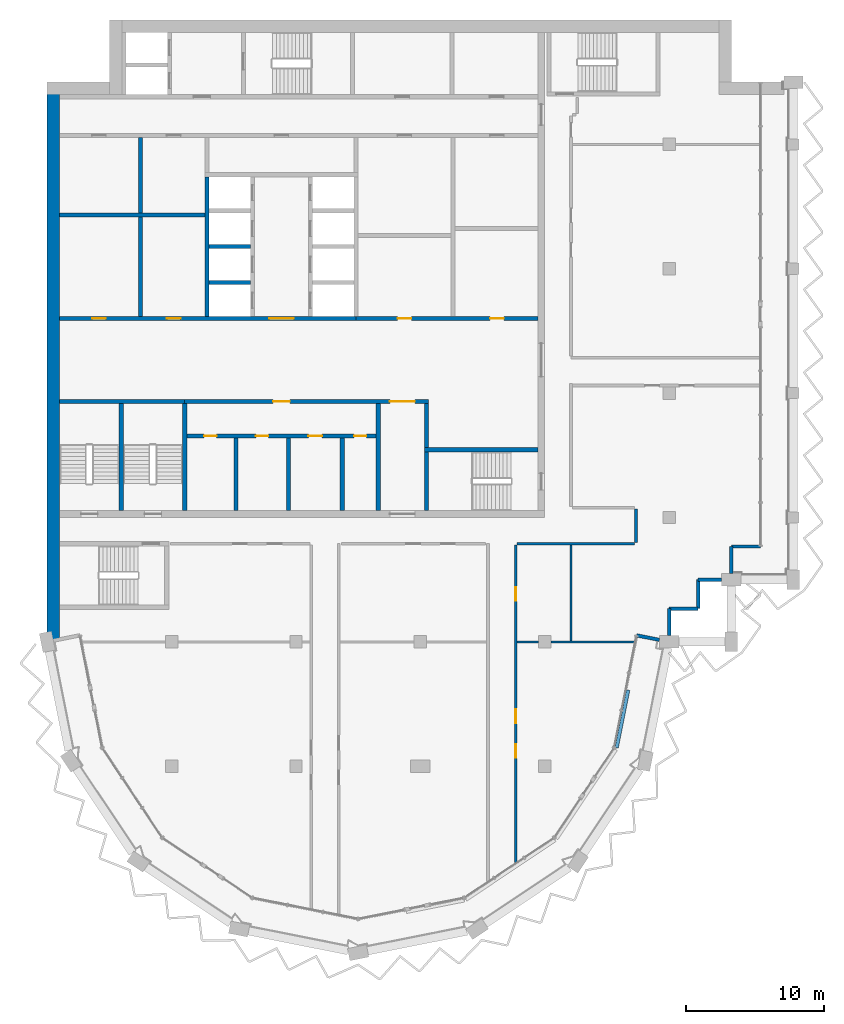
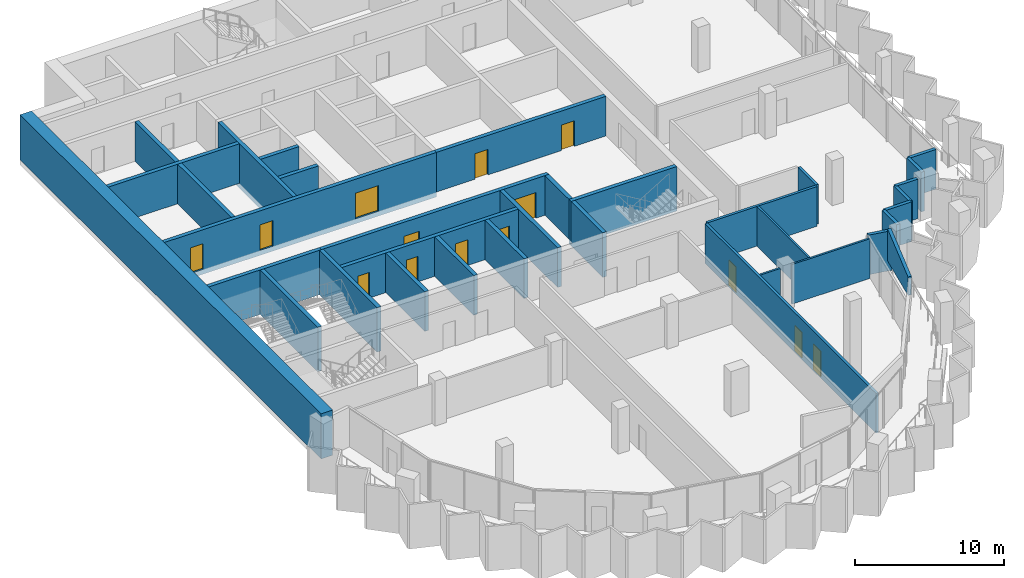
# One storey, part 6 of 13: 34 walls, 14 doors, 14 openings.
"""IFC4 building model written with IfcOpenShell, lengths in metres."""

from ifc_helpers import new_model, si_unit, direction, frame, frame_2d, origin, place, context, subcontext, project, spatial, polyline, rectangle, outline, extrude, material, layer, layer_set, type_object, element, fill, save


model = new_model("IFC4")

# Units and contexts
model_context = context("Model", 3, precision=1e-05, world=origin(), true_north=direction((0.0, 1.0)))
body_context = subcontext(model_context, "Body", "Model", "MODEL_VIEW")
ifc_project = project(units=[si_unit("LENGTHUNIT", "METRE"), si_unit("AREAUNIT", "SQUARE_METRE"), si_unit("VOLUMEUNIT", "CUBIC_METRE"), si_unit("PLANEANGLEUNIT", "RADIAN"), si_unit("MASSUNIT", "GRAM", prefix="KILO")], contexts=[model_context])

# Site, building, storey
site_placement = place(None, origin())
site = spatial("IfcSite", under=ifc_project, at=site_placement, CompositionType="ELEMENT")
building_placement = place(site_placement, origin())
building = spatial("IfcBuilding", under=site, at=building_placement, Name="Hunhe Ridgeline Campus", CompositionType="ELEMENT")
storey_placement = place(building_placement, frame((0.0, 0.0, 299.300048828125)))
storey = spatial("IfcBuildingStorey", under=building, at=storey_placement, Name="L77", CompositionType="ELEMENT", Elevation=299.300048828125)

# Wall, openings, doors
ifc_material_1 = material(Name="Masonry concrete blockwork", Category="masonry")
ifc_layer_1 = layer(ifc_material_1, 0.300048828125)
ifc_layer_set_1 = layer_set([ifc_layer_1], Name="Core room partition 300 concrete block")
wall_type_1 = type_object("IfcWallType", Name="Core room partition 300 concrete block", PredefinedType="PARTITIONING", material=ifc_layer_set_1)
wall_1_placement = place(storey_placement, frame((10.10009765625, 68.89990234375, 0.0), z_axis=(0.0, 0.0, 1.0), x_axis=(1.0, 0.0, 0.0)))
wall_1 = element("IfcWall", 1, at=wall_1_placement, inside=storey, type_object=wall_type_1, Name="L77 core partition 5", PredefinedType="PARTITIONING", context=body_context, shape_type="SweptSolid", body=[
    extrude(rectangle(XDim=13.699951171875, YDim=0.300048828125, at=frame_2d((6.85009765625, 0.0))), origin(), (0.0, 0.0, 1.0), 3.25),
])
opening_1_placement = place(wall_1_placement, frame((1.25, 0.0, 0.0)))
opening_1 = element("IfcOpeningElement", 2, at=opening_1_placement, cuts=wall_1, Name="Opening CD8", PredefinedType="OPENING", context=body_context, shape_type="SweptSolid", body=[
    extrude(rectangle(XDim=0.89990234375, YDim=2.10009765625, at=frame_2d((0.449951171875, 1.050048828125))), frame((0.0, 0.14990234375, 0.0), z_axis=(0.0, -1.0, 0.0), x_axis=(1.0, 0.0, 0.0)), (0.0, 0.0, 1.0), 0.300048828125),
])
opening_2_placement = place(wall_1_placement, frame((5.0, 0.0, 0.0)))
opening_2 = element("IfcOpeningElement", 3, at=opening_2_placement, cuts=wall_1, Name="Opening CD9", PredefinedType="OPENING", context=body_context, shape_type="SweptSolid", body=[
    extrude(rectangle(XDim=0.89990234375, YDim=2.10009765625, at=frame_2d((0.449951171875, 1.050048828125))), frame((0.0, 0.14990234375, 0.0), z_axis=(0.0, -1.0, 0.0), x_axis=(1.0, 0.0, 0.0)), (0.0, 0.0, 1.0), 0.300048828125),
])
opening_3_placement = place(wall_1_placement, frame((8.800048828125, 0.0, 0.0)))
opening_3 = element("IfcOpeningElement", 4, at=opening_3_placement, cuts=wall_1, Name="Opening CD10", PredefinedType="OPENING", context=body_context, shape_type="SweptSolid", body=[
    extrude(rectangle(XDim=1.0, YDim=2.10009765625, at=frame_2d((0.5, 1.050048828125))), frame((0.0, 0.14990234375, 0.0), z_axis=(0.0, -1.0, 0.0), x_axis=(1.0, 0.0, 0.0)), (0.0, 0.0, 1.0), 0.300048828125),
])
opening_4_placement = place(wall_1_placement, frame((12.10009765625, 0.0, 0.0)))
opening_4 = element("IfcOpeningElement", 5, at=opening_4_placement, cuts=wall_1, Name="Opening CD11", PredefinedType="OPENING", context=body_context, shape_type="SweptSolid", body=[
    extrude(rectangle(XDim=0.89990234375, YDim=2.10009765625, at=frame_2d((0.449951171875, 1.050048828125))), frame((0.0, 0.14990234375, 0.0), z_axis=(0.0, -1.0, 0.0), x_axis=(1.0, 0.0, 0.0)), (0.0, 0.0, 1.0), 0.300048828125),
])
ifc_material_2 = material(Name="Solid core timber door leaf", Category="wood")
door_type_1 = type_object("IfcDoorType", Name="Timber door 1000x2100", OperationType="SINGLE_SWING_LEFT", PredefinedType="DOOR", material=ifc_material_2)
door_1_placement = place(opening_3_placement, frame((1.0, 0.0, 0.0), z_axis=(0.0, 0.0, 1.0), x_axis=(-1.0, 0.0, 0.0)))
door_1 = element("IfcDoor", 6, at=door_1_placement, inside=storey, type_object=door_type_1, Name="L77 door WC3", OperationType="SINGLE_SWING_LEFT", OverallHeight=2.10009765625, OverallWidth=1.0, PredefinedType="DOOR", context=body_context, shape_type="SweptSolid", body=[
    extrude(rectangle(XDim=1.0, YDim=2.10009765625, at=frame_2d((0.5, 1.050048828125))), frame((0.0, 0.02490234375, 0.0), z_axis=(0.0, -1.0, 0.0), x_axis=(1.0, 0.0, 0.0)), (0.0, 0.0, 1.0), 0.050048828125),
])
fill(opening_3, door_1)
door_type_2 = type_object("IfcDoorType", Name="Timber door 900x2100", OperationType="SINGLE_SWING_LEFT", PredefinedType="DOOR", material=ifc_material_2)
door_2_placement = place(opening_1_placement, frame((0.89990234375, 0.0, 0.0), z_axis=(0.0, 0.0, 1.0), x_axis=(-1.0, 0.0, 0.0)))
door_2 = element("IfcDoor", 7, at=door_2_placement, inside=storey, type_object=door_type_2, Name="L77 door WC1", OperationType="SINGLE_SWING_LEFT", OverallHeight=2.10009765625, OverallWidth=0.89990234375, PredefinedType="DOOR", context=body_context, shape_type="SweptSolid", body=[
    extrude(rectangle(XDim=0.89990234375, YDim=2.10009765625, at=frame_2d((0.449951171875, 1.050048828125))), frame((0.0, 0.02490234375, 0.0), z_axis=(0.0, -1.0, 0.0), x_axis=(1.0, 0.0, 0.0)), (0.0, 0.0, 1.0), 0.050048828125),
])
fill(opening_1, door_2)
door_3_placement = place(opening_2_placement, frame((0.89990234375, 0.0, 0.0), z_axis=(0.0, 0.0, 1.0), x_axis=(-1.0, 0.0, 0.0)))
door_3 = element("IfcDoor", 8, at=door_3_placement, inside=storey, type_object=door_type_2, Name="L77 door WC2", OperationType="SINGLE_SWING_RIGHT", OverallHeight=2.10009765625, OverallWidth=0.89990234375, PredefinedType="DOOR", context=body_context, shape_type="SweptSolid", body=[
    extrude(rectangle(XDim=0.89990234375, YDim=2.10009765625, at=frame_2d((0.449951171875, 1.050048828125))), frame((0.0, 0.02490234375, 0.0), z_axis=(0.0, -1.0, 0.0), x_axis=(1.0, 0.0, 0.0)), (0.0, 0.0, 1.0), 0.050048828125),
])
fill(opening_2, door_3)
door_4_placement = place(opening_4_placement, frame((0.89990234375, 0.0, 0.0), z_axis=(0.0, 0.0, 1.0), x_axis=(-1.0, 0.0, 0.0)))
door_4 = element("IfcDoor", 9, at=door_4_placement, inside=storey, type_object=door_type_2, Name="L77 door WC4", OperationType="SINGLE_SWING_RIGHT", OverallHeight=2.10009765625, OverallWidth=0.89990234375, PredefinedType="DOOR", context=body_context, shape_type="SweptSolid", body=[
    extrude(rectangle(XDim=0.89990234375, YDim=2.10009765625, at=frame_2d((0.449951171875, 1.050048828125))), frame((0.0, 0.02490234375, 0.0), z_axis=(0.0, -1.0, 0.0), x_axis=(1.0, 0.0, 0.0)), (0.0, 0.0, 1.0), 0.050048828125),
])
fill(opening_4, door_4)

wall_2_placement = place(storey_placement, frame((9.949951171875, 71.39990234375, 0.0), z_axis=(0.0, 0.0, 1.0), x_axis=(1.0, 0.0, 0.0)))
wall_2 = element("IfcWall", 10, at=wall_2_placement, inside=storey, type_object=wall_type_1, Name="L77 core partition 7", PredefinedType="PARTITIONING", context=body_context, shape_type="SweptSolid", body=[
    extrude(rectangle(XDim=17.650146484375, YDim=0.300048828125, at=frame_2d((8.8251953125, 0.0))), origin(), (0.0, 0.0, 1.0), 3.25),
])
opening_5_placement = place(wall_2_placement, frame((14.85009765625, 0.0, 0.0)))
opening_5 = element("IfcOpeningElement", 11, at=opening_5_placement, cuts=wall_2, Name="Opening CD7", PredefinedType="OPENING", context=body_context, shape_type="SweptSolid", body=[
    extrude(rectangle(XDim=1.800048828125, YDim=2.10009765625, at=frame_2d((0.89990234375, 1.050048828125))), frame((0.0, 0.14990234375, 0.0), z_axis=(0.0, -1.0, 0.0), x_axis=(1.0, 0.0, 0.0)), (0.0, 0.0, 1.0), 0.300048828125),
])
opening_6_placement = place(wall_2_placement, frame((6.39990234375, 0.0, 0.0)))
opening_6 = element("IfcOpeningElement", 12, at=opening_6_placement, cuts=wall_2, Name="Opening CD37", PredefinedType="OPENING", context=body_context, shape_type="SweptSolid", body=[
    extrude(rectangle(XDim=1.199951171875, YDim=2.10009765625, at=frame_2d((0.60009765625, 1.050048828125))), frame((0.0, 0.14990234375, 0.0), z_axis=(0.0, -1.0, 0.0), x_axis=(1.0, 0.0, 0.0)), (0.0, 0.0, 1.0), 0.300048828125),
])
ifc_material_3 = material(Name="Anodised aluminium and glass", Category="aluminium")
door_type_3 = type_object("IfcDoorType", Name="Glazed double door 1800x2100", OperationType="DOUBLE_DOOR_SINGLE_SWING", PredefinedType="DOOR", material=ifc_material_3)
door_5_placement = place(opening_5_placement, origin())
door_5 = element("IfcDoor", 13, at=door_5_placement, inside=storey, type_object=door_type_3, Name="L77 door VEST-HALL", OperationType="DOUBLE_DOOR_SINGLE_SWING", OverallHeight=2.10009765625, OverallWidth=1.800048828125, PredefinedType="DOOR", context=body_context, shape_type="SweptSolid", body=[
    extrude(rectangle(XDim=1.800048828125, YDim=2.10009765625, at=frame_2d((0.89990234375, 1.050048828125))), frame((0.0, 0.02490234375, 0.0), z_axis=(0.0, -1.0, 0.0), x_axis=(1.0, 0.0, 0.0)), (0.0, 0.0, 1.0), 0.050048828125),
])
fill(opening_5, door_5)
door_type_4 = type_object("IfcDoorType", Name="Timber door 1200x2100", OperationType="SINGLE_SWING_LEFT", PredefinedType="DOOR", material=ifc_material_2)
door_6_placement = place(opening_6_placement, origin())
door_6 = element("IfcDoor", 14, at=door_6_placement, inside=storey, type_object=door_type_4, Name="L77 door WCL1-HALL", OperationType="SINGLE_SWING_RIGHT", OverallHeight=2.10009765625, OverallWidth=1.199951171875, PredefinedType="DOOR", context=body_context, shape_type="SweptSolid", body=[
    extrude(rectangle(XDim=1.199951171875, YDim=2.10009765625, at=frame_2d((0.60009765625, 1.050048828125))), frame((0.0, 0.02490234375, 0.0), z_axis=(0.0, -1.0, 0.0), x_axis=(1.0, 0.0, 0.0)), (0.0, 0.0, 1.0), 0.050048828125),
])
fill(opening_6, door_6)

wall_3_placement = place(storey_placement, frame((22.35009765625, 77.39990234375, 0.0), z_axis=(0.0, 0.0, 1.0), x_axis=(1.0, 0.0, 0.0)))
wall_3 = element("IfcWall", 15, at=wall_3_placement, inside=storey, type_object=wall_type_1, Name="L77 core partition 9", PredefinedType="PARTITIONING", context=body_context, shape_type="SweptSolid", body=[
    extrude(rectangle(XDim=13.14990234375, YDim=0.300048828125, at=frame_2d((6.574951171875, 0.0))), origin(), (0.0, 0.0, 1.0), 3.25),
])
opening_7_placement = place(wall_3_placement, frame((3.0, 0.0, 0.0)))
opening_7 = element("IfcOpeningElement", 16, at=opening_7_placement, cuts=wall_3, Name="Opening CD32", PredefinedType="OPENING", context=body_context, shape_type="SweptSolid", body=[
    extrude(rectangle(XDim=1.0, YDim=2.10009765625, at=frame_2d((0.5, 1.050048828125))), frame((0.0, 0.14990234375, 0.0), z_axis=(0.0, -1.0, 0.0), x_axis=(1.0, 0.0, 0.0)), (0.0, 0.0, 1.0), 0.300048828125),
])
opening_8_placement = place(wall_3_placement, frame((9.699951171875, 0.0, 0.0)))
opening_8 = element("IfcOpeningElement", 17, at=opening_8_placement, cuts=wall_3, Name="Opening CD42", PredefinedType="OPENING", context=body_context, shape_type="SweptSolid", body=[
    extrude(rectangle(XDim=1.0, YDim=2.10009765625, at=frame_2d((0.5, 1.050048828125))), frame((0.0, 0.14990234375, 0.0), z_axis=(0.0, -1.0, 0.0), x_axis=(1.0, 0.0, 0.0)), (0.0, 0.0, 1.0), 0.300048828125),
])
door_7_placement = place(opening_7_placement, origin())
door_7 = element("IfcDoor", 18, at=door_7_placement, inside=storey, type_object=door_type_1, Name="L77 door ES0", OperationType="SINGLE_SWING_RIGHT", OverallHeight=2.10009765625, OverallWidth=1.0, PredefinedType="DOOR", context=body_context, shape_type="SweptSolid", body=[
    extrude(rectangle(XDim=1.0, YDim=2.10009765625, at=frame_2d((0.5, 1.050048828125))), frame((0.0, 0.02490234375, 0.0), z_axis=(0.0, -1.0, 0.0), x_axis=(1.0, 0.0, 0.0)), (0.0, 0.0, 1.0), 0.050048828125),
])
fill(opening_7, door_7)
door_8_placement = place(opening_8_placement, origin())
door_8 = element("IfcDoor", 19, at=door_8_placement, inside=storey, type_object=door_type_1, Name="L77 door ES2", OperationType="SINGLE_SWING_RIGHT", OverallHeight=2.10009765625, OverallWidth=1.0, PredefinedType="DOOR", context=body_context, shape_type="SweptSolid", body=[
    extrude(rectangle(XDim=1.0, YDim=2.10009765625, at=frame_2d((0.5, 1.050048828125))), frame((0.0, 0.02490234375, 0.0), z_axis=(0.0, -1.0, 0.0), x_axis=(1.0, 0.0, 0.0)), (0.0, 0.0, 1.0), 0.050048828125),
])
fill(opening_8, door_8)

# Walls
wall_4_placement = place(storey_placement, frame((0.89990234375, 84.89990234375, 0.0), z_axis=(0.0, 0.0, 1.0), x_axis=(1.0, 0.0, 0.0)))
element("IfcWall", 20, at=wall_4_placement, inside=storey, type_object=wall_type_1, Name="L77 core partition 16", PredefinedType="PARTITIONING", context=body_context, shape_type="SweptSolid", body=[
    extrude(rectangle(XDim=10.5, YDim=0.300048828125, at=frame_2d((5.25, 0.0))), origin(), (0.0, 0.0, 1.0), 3.25),
])
wall_5_placement = place(storey_placement, frame((6.75, 77.550048828125, 0.0), z_axis=(0.0, 0.0, 1.0), x_axis=(0.0, 1.0, 0.0)))
element("IfcWall", 21, at=wall_5_placement, inside=storey, type_object=wall_type_1, Name="L77 core partition 26", PredefinedType="PARTITIONING", context=body_context, shape_type="SweptSolid", body=[
    extrude(rectangle(XDim=12.949951171875, YDim=0.300048828125, at=frame_2d((6.47509765625, 0.0))), origin(), (0.0, 0.0, 1.0), 3.25),
])
for number, where, z_axis, x_axis, name in (
    (22, (13.64990234375, 63.5, 0.0), (0.0, 0.0, 1.0), (0.0, 1.0, 0.0), "L77 core partition 32"),
    (23, (17.449951171875, 63.5, 0.0), (0.0, 0.0, 1.0), (0.0, 1.0, 0.0), "L77 core partition 35"),
    (24, (21.35009765625, 63.5, 0.0), (0.0, 0.0, 1.0), (0.0, 1.0, 0.0), "L77 core partition 37"),
):
    element("IfcWall", number, at=place(storey_placement, frame(where, z_axis=z_axis, x_axis=x_axis)), inside=storey, type_object=wall_type_1, Name=name, PredefinedType="PARTITIONING", context=body_context, shape_type="SweptSolid", body=[
        extrude(rectangle(XDim=5.25, YDim=0.300048828125, at=frame_2d((2.625, 0.0))), origin(), (0.0, 0.0, 1.0), 3.25),
    ])
wall_6_placement = place(storey_placement, frame((23.949951171875, 63.5, 0.0), z_axis=(0.0, 0.0, 1.0), x_axis=(0.0, 1.0, 0.0)))
element("IfcWall", 25, at=wall_6_placement, inside=storey, type_object=wall_type_1, Name="L77 core partition 41", PredefinedType="PARTITIONING", context=body_context, shape_type="SweptSolid", body=[
    extrude(rectangle(XDim=7.75, YDim=0.300048828125, at=frame_2d((3.875, 0.0))), origin(), (0.0, 0.0, 1.0), 3.25),
])
wall_7_placement = place(storey_placement, frame((27.449951171875, 68.050048828125, 0.0), z_axis=(0.0, 0.0, 1.0), x_axis=(0.0, 1.0, 0.0)))
element("IfcWall", 26, at=wall_7_placement, inside=storey, type_object=wall_type_1, Name="L77 core partition 43", PredefinedType="PARTITIONING", context=body_context, shape_type="SweptSolid", body=[
    extrude(rectangle(XDim=3.199951171875, YDim=0.300048828125, at=frame_2d((1.60009765625, 0.0))), origin(), (0.0, 0.0, 1.0), 3.25),
])
ifc_material_4 = material(Name="Concrete C30", Category="concrete")
ifc_layer_2 = layer(ifc_material_4, 0.25)
ifc_layer_set_2 = layer_set([ifc_layer_2], Name="Corner return wall 250 Concrete C30")
wall_type_2 = type_object("IfcWallType", Name="Corner return wall 250 Concrete C30", PredefinedType="SOLIDWALL", material=ifc_layer_set_2)
wall_8_placement = place(storey_placement, frame((42.645263671875, 54.46875, 0.0), z_axis=(0.0, 0.0, 1.0), x_axis=(0.980846923473, -0.194780165092, 0.0)))
element("IfcWall", 27, at=wall_8_placement, inside=storey, type_object=wall_type_2, Name="Corner return wall 2", PredefinedType="SOLIDWALL", context=body_context, shape_type="SweptSolid", body=[
    extrude(rectangle(XDim=1.68701171875, YDim=0.25, at=frame_2d((0.843505859375, 0.0))), origin(), (0.0, 0.0, 1.0), 3.25),
])
wall_9_placement = place(storey_placement, frame((44.9990234375, 54.449951171875, 0.0), z_axis=(0.0, 0.0, 1.0), x_axis=(0.000125156445, 0.999999992168, 0.0)))
element("IfcWall", 28, at=wall_9_placement, inside=storey, type_object=wall_type_2, Name="Corner return wall 3", PredefinedType="SOLIDWALL", context=body_context, shape_type="SweptSolid", body=[
    extrude(rectangle(XDim=1.95068359375, YDim=0.25, at=frame_2d((0.975341796875, 0.0))), origin(), (0.0, 0.0, 1.0), 3.25),
])
wall_10_placement = place(storey_placement, frame((44.999267578125, 56.400634765625, 0.0), z_axis=(0.0, 0.0, 1.0), x_axis=(0.999999993241, 0.00011626555, 0.0)))
element("IfcWall", 29, at=wall_10_placement, inside=storey, type_object=wall_type_2, Name="Corner return wall 4", PredefinedType="SOLIDWALL", context=body_context, shape_type="SweptSolid", body=[
    extrude(rectangle(XDim=2.099853515625, YDim=0.25, at=frame_2d((1.0498046875, 0.0))), origin(), (0.0, 0.0, 1.0), 3.25),
])
wall_11_placement = place(storey_placement, frame((47.09912109375, 56.40087890625, 0.0), z_axis=(0.0, 0.0, 1.0), x_axis=(0.000232504063, 0.999999972971, 0.0)))
element("IfcWall", 30, at=wall_11_placement, inside=storey, type_object=wall_type_2, Name="Corner return wall 5", PredefinedType="SOLIDWALL", context=body_context, shape_type="SweptSolid", body=[
    extrude(rectangle(XDim=2.10009765625, YDim=0.25, at=frame_2d((1.050048828125, 0.0))), origin(), (0.0, 0.0, 1.0), 3.25),
])
wall_12_placement = place(storey_placement, frame((47.099609375, 58.5009765625, 0.0), z_axis=(0.0, 0.0, 1.0), x_axis=(1.0, 0.0, 0.0)))
element("IfcWall", 31, at=wall_12_placement, inside=storey, type_object=wall_type_2, Name="Corner return wall 6", PredefinedType="SOLIDWALL", context=body_context, shape_type="SweptSolid", body=[
    extrude(rectangle(XDim=1.700439453125, YDim=0.25, at=frame_2d((0.85009765625, 0.0))), origin(), (0.0, 0.0, 1.0), 3.25),
])
wall_13_placement = place(storey_placement, frame((49.4990234375, 58.949951171875, 0.0), z_axis=(0.0, 0.0, 1.0), x_axis=(0.000250281559, 0.99999996868, 0.0)))
element("IfcWall", 32, at=wall_13_placement, inside=storey, type_object=wall_type_2, Name="Corner return wall 7", PredefinedType="SOLIDWALL", context=body_context, shape_type="SweptSolid", body=[
    extrude(rectangle(XDim=1.950927734375, YDim=0.25, at=frame_2d((0.9755859375, 0.0))), origin(), (0.0, 0.0, 1.0), 3.25),
])
wall_14_placement = place(storey_placement, frame((49.49951171875, 60.90087890625, 0.0), z_axis=(0.0, 0.0, 1.0), x_axis=(1.0, 0.0, 0.0)))
element("IfcWall", 33, at=wall_14_placement, inside=storey, type_object=wall_type_2, Name="Corner return wall 8", PredefinedType="SOLIDWALL", context=body_context, shape_type="SweptSolid", body=[
    extrude(rectangle(XDim=2.099609375, YDim=0.25, at=frame_2d((1.0498046875, 0.0))), origin(), (0.0, 0.0, 1.0), 3.25),
])
ifc_material_5 = material(Name="Gypsum board partition")
ifc_layer_3 = layer(ifc_material_5, 0.199951171875)
ifc_layer_set_3 = layer_set([ifc_layer_3], Name="Corridor partition 200 gypsum board on steel studs")
wall_type_3 = type_object("IfcWallType", Name="Corridor partition 200 gypsum board on steel studs", PredefinedType="PARTITIONING", material=ifc_layer_set_3)
wall_15_placement = place(storey_placement, frame((42.5, 61.10009765625, 0.0), z_axis=(0.0, 0.0, 1.0), x_axis=(-1.0, 0.0, 0.0)))
element("IfcWall", 34, at=wall_15_placement, inside=storey, type_object=wall_type_3, Name="F-L77-wall-010", PredefinedType="PARTITIONING", context=body_context, shape_type="SweptSolid", body=[
    extrude(rectangle(XDim=8.5, YDim=0.199951171875, at=frame_2d((4.25, 0.0))), origin(), (0.0, 0.0, 1.0), 3.25),
])

# Wall, openings, doors
wall_16_placement = place(storey_placement, frame((33.89990234375, 61.0, 0.0), z_axis=(0.0, 0.0, 1.0), x_axis=(0.0, -1.0, 0.0)))
wall_16 = element("IfcWall", 35, at=wall_16_placement, inside=storey, type_object=wall_type_3, Name="F-L77-wall-020", PredefinedType="PARTITIONING", context=body_context, shape_type="SweptSolid", body=[
    extrude(rectangle(XDim=22.970703125, YDim=0.199951171875, at=frame_2d((11.4853515625, 0.0))), origin(), (0.0, 0.0, 1.0), 3.25),
])
opening_9_placement = place(wall_16_placement, frame((14.39306640625, 0.0, 0.0)))
opening_9 = element("IfcOpeningElement", 36, at=opening_9_placement, cuts=wall_16, Name="Opening RD1-003", PredefinedType="OPENING", context=body_context, shape_type="SweptSolid", body=[
    extrude(rectangle(XDim=1.0, YDim=2.10009765625, at=frame_2d((0.5, 1.050048828125))), frame((0.0, 0.10009765625, 0.0), z_axis=(0.0, -1.0, 0.0), x_axis=(1.0, 0.0, 0.0)), (0.0, 0.0, 1.0), 0.199951171875),
])
opening_10_placement = place(wall_16_placement, frame((11.89306640625, 0.0, 0.0)))
opening_10 = element("IfcOpeningElement", 37, at=opening_10_placement, cuts=wall_16, Name="Opening RD1-006", PredefinedType="OPENING", context=body_context, shape_type="SweptSolid", body=[
    extrude(rectangle(XDim=1.0, YDim=2.10009765625, at=frame_2d((0.5, 1.050048828125))), frame((0.0, 0.10009765625, 0.0), z_axis=(0.0, -1.0, 0.0), x_axis=(1.0, 0.0, 0.0)), (0.0, 0.0, 1.0), 0.199951171875),
])
opening_11_placement = place(wall_16_placement, frame((3.033935546875, 0.0, 0.0)))
opening_11 = element("IfcOpeningElement", 38, at=opening_11_placement, cuts=wall_16, Name="Opening RD1-007", PredefinedType="OPENING", context=body_context, shape_type="SweptSolid", body=[
    extrude(rectangle(XDim=1.0, YDim=2.10009765625, at=frame_2d((0.5, 1.050048828125))), frame((0.0, 0.10009765625, 0.0), z_axis=(0.0, -1.0, 0.0), x_axis=(1.0, 0.0, 0.0)), (0.0, 0.0, 1.0), 0.199951171875),
])
ifc_material_6 = material(Name="Timber door leaf", Category="wood")
door_type_5 = type_object("IfcDoorType", Name="Single fire door 1000x2100 timber FD60", OperationType="NOTDEFINED", PredefinedType="DOOR", material=ifc_material_6)
door_9_placement = place(opening_9_placement, frame((1.0, 0.0, 0.0), z_axis=(0.0, 0.0, 1.0), x_axis=(-1.0, 0.0, 0.0)))
door_9 = element("IfcDoor", 39, at=door_9_placement, inside=storey, type_object=door_type_5, Name="F-L77-door-003", OperationType="SINGLE_SWING_RIGHT", OverallHeight=2.10009765625, OverallWidth=1.0, PredefinedType="DOOR", context=body_context, shape_type="SweptSolid", body=[
    extrude(rectangle(XDim=1.0, YDim=2.10009765625, at=frame_2d((0.5, 1.050048828125))), frame((0.0, 0.02490234375, 0.0), z_axis=(0.0, -1.0, 0.0), x_axis=(1.0, 0.0, 0.0)), (0.0, 0.0, 1.0), 0.050048828125),
])
fill(opening_9, door_9)
door_10_placement = place(opening_10_placement, frame((1.0, 0.0, 0.0), z_axis=(0.0, 0.0, 1.0), x_axis=(-1.0, 0.0, 0.0)))
door_10 = element("IfcDoor", 40, at=door_10_placement, inside=storey, type_object=door_type_5, Name="F-L77-door-006", OperationType="SINGLE_SWING_RIGHT", OverallHeight=2.10009765625, OverallWidth=1.0, PredefinedType="DOOR", context=body_context, shape_type="SweptSolid", body=[
    extrude(rectangle(XDim=1.0, YDim=2.10009765625, at=frame_2d((0.5, 1.050048828125))), frame((0.0, 0.02490234375, 0.0), z_axis=(0.0, -1.0, 0.0), x_axis=(1.0, 0.0, 0.0)), (0.0, 0.0, 1.0), 0.050048828125),
])
fill(opening_10, door_10)
door_11_placement = place(opening_11_placement, origin())
door_11 = element("IfcDoor", 41, at=door_11_placement, inside=storey, type_object=door_type_5, Name="F-L77-door-007", OperationType="SINGLE_SWING_RIGHT", OverallHeight=2.10009765625, OverallWidth=1.0, PredefinedType="DOOR", context=body_context, shape_type="SweptSolid", body=[
    extrude(rectangle(XDim=1.0, YDim=2.10009765625, at=frame_2d((0.5, 1.050048828125))), frame((0.0, 0.02490234375, 0.0), z_axis=(0.0, -1.0, 0.0), x_axis=(1.0, 0.0, 0.0)), (0.0, 0.0, 1.0), 0.050048828125),
])
fill(opening_11, door_11)

# Walls
wall_17_placement = place(storey_placement, frame((42.60009765625, 63.60009765625, 0.0), z_axis=(0.0, 0.0, 1.0), x_axis=(0.0, -1.0, 0.0)))
element("IfcWall", 42, at=wall_17_placement, inside=storey, type_object=wall_type_3, Name="F-L77-wall-025", PredefinedType="PARTITIONING", context=body_context, shape_type="SweptSolid", body=[
    extrude(rectangle(XDim=2.400146484375, YDim=0.199951171875, at=frame_2d((1.2001953125, 0.0))), origin(), (0.0, 0.0, 1.0), 3.25),
])
ifc_material_7 = material(Name="Concrete C50", Category="concrete")
ifc_layer_4 = layer(ifc_material_7, 0.25)
ifc_layer_set_4 = layer_set([ifc_layer_4], Name="Crown cladding wall 250 Concrete C50")
wall_type_4 = type_object("IfcWallType", Name="Crown cladding wall 250 Concrete C50", PredefinedType="SOLIDWALL", material=ifc_layer_set_4)
wall_18_placement = place(storey_placement, frame((41.2041015625, 46.326416015625, 3.699951171875), z_axis=(0.0, 0.0, 1.0), x_axis=(0.195103466612, 0.980782665689, 0.0)))
element("IfcWall", 43, at=wall_18_placement, inside=storey, type_object=wall_type_4, Name="Crown cladding wall", PredefinedType="SOLIDWALL", context=body_context, shape_type="SweptSolid", body=[
    extrude(outline(polyline([(0.0, 0.0), (4.265869140625, 0.0), (4.265625, 2.63134765625), (0.0, 1.51416015625), (0.0, 0.0)])), frame((0.0, 0.125, 0.0), z_axis=(0.0, -1.0, 0.0), x_axis=(1.0, 0.0, 0.0)), (0.0, 0.0, 1.0), 0.25),
])
ifc_layer_5 = layer(ifc_material_5, 0.14990234375)
ifc_layer_set_5 = layer_set([ifc_layer_5], Name="Room partition 150 gypsum board on steel studs")
wall_type_5 = type_object("IfcWallType", Name="Room partition 150 gypsum board on steel studs", PredefinedType="PARTITIONING", material=ifc_layer_set_5)
wall_19_placement = place(storey_placement, frame((34.0, 54.0, 0.0), z_axis=(0.0, 0.0, 1.0), x_axis=(1.0, 0.0, 0.0)))
element("IfcWall", 44, at=wall_19_placement, inside=storey, type_object=wall_type_5, Name="F-L77-wall-006", PredefinedType="PARTITIONING", context=body_context, shape_type="SweptSolid", body=[
    extrude(rectangle(XDim=1.550048828125, YDim=0.14990234375, at=frame_2d((0.77490234375, 0.0))), origin(), (0.0, 0.0, 1.0), 3.25),
])
wall_20_placement = place(storey_placement, frame((36.449951171875, 54.0, 0.0), z_axis=(0.0, 0.0, 1.0), x_axis=(1.0, 0.0, 0.0)))
element("IfcWall", 45, at=wall_20_placement, inside=storey, type_object=wall_type_5, Name="F-L77-wall-007", PredefinedType="PARTITIONING", context=body_context, shape_type="SweptSolid", body=[
    extrude(rectangle(XDim=6.047119140625, YDim=0.14990234375, at=frame_2d((3.0234375, 0.0))), origin(), (0.0, 0.0, 1.0), 3.25),
])
wall_21_placement = place(storey_placement, frame((37.89990234375, 61.0, 0.0), z_axis=(0.0, 0.0, 1.0), x_axis=(0.0, -1.0, 0.0)))
element("IfcWall", 46, at=wall_21_placement, inside=storey, type_object=wall_type_5, Name="F-L77-wall-021", PredefinedType="PARTITIONING", context=body_context, shape_type="SweptSolid", body=[
    extrude(rectangle(XDim=6.925048828125, YDim=0.14990234375, at=frame_2d((3.46240234375, 0.0))), origin(), (0.0, 0.0, 1.0), 3.25),
])

# Wall, openings, doors
ifc_layer_6 = layer(ifc_material_7, 0.300048828125)
ifc_layer_set_6 = layer_set([ifc_layer_6], Name="Shaft wall 300 reinforced concrete C50")
wall_type_6 = type_object("IfcWallType", Name="Shaft wall 300 reinforced concrete C50", PredefinedType="SOLIDWALL", material=ifc_layer_set_6)
wall_22_placement = place(storey_placement, frame((0.89990234375, 77.39990234375, -0.400146484375), z_axis=(0.0, 0.0, 1.0), x_axis=(1.0, 0.0, 0.0)))
wall_22 = element("IfcWall", 47, at=wall_22_placement, inside=storey, type_object=wall_type_6, Name="L77 core wall 8", PredefinedType="SOLIDWALL", context=body_context, shape_type="SweptSolid", body=[
    extrude(rectangle(XDim=21.4501953125, YDim=0.300048828125, at=frame_2d((10.72509765625, 0.0))), origin(), (0.0, 0.0, 1.0), 3.650146484375),
])
opening_12_placement = place(wall_22_placement, frame((15.14990234375, 0.0, 0.39990234375)))
opening_12 = element("IfcOpeningElement", 48, at=opening_12_placement, cuts=wall_22, Name="Opening CD38", PredefinedType="OPENING", context=body_context, shape_type="SweptSolid", body=[
    extrude(rectangle(XDim=1.800048828125, YDim=2.10009765625, at=frame_2d((0.89990234375, 1.050048828125))), frame((0.0, 0.14990234375, 0.0), z_axis=(0.0, -1.0, 0.0), x_axis=(1.0, 0.0, 0.0)), (0.0, 0.0, 1.0), 0.300048828125),
])
opening_13_placement = place(wall_22_placement, frame((2.35009765625, 0.0, 0.39990234375)))
opening_13 = element("IfcOpeningElement", 49, at=opening_13_placement, cuts=wall_22, Name="Opening CD39", PredefinedType="OPENING", context=body_context, shape_type="SweptSolid", body=[
    extrude(rectangle(XDim=1.0, YDim=2.10009765625, at=frame_2d((0.5, 1.050048828125))), frame((0.0, 0.14990234375, 0.0), z_axis=(0.0, -1.0, 0.0), x_axis=(1.0, 0.0, 0.0)), (0.0, 0.0, 1.0), 0.300048828125),
])
opening_14_placement = place(wall_22_placement, frame((7.75, 0.0, 0.39990234375)))
opening_14 = element("IfcOpeningElement", 50, at=opening_14_placement, cuts=wall_22, Name="Opening CD41", PredefinedType="OPENING", context=body_context, shape_type="SweptSolid", body=[
    extrude(rectangle(XDim=1.0, YDim=2.10009765625, at=frame_2d((0.5, 1.050048828125))), frame((0.0, 0.14990234375, 0.0), z_axis=(0.0, -1.0, 0.0), x_axis=(1.0, 0.0, 0.0)), (0.0, 0.0, 1.0), 0.300048828125),
])
ifc_material_8 = material(Name="Hollow metal fire door leaf")
door_type_6 = type_object("IfcDoorType", Name="Lobby door 1800x2100 FD60", OperationType="SINGLE_SWING_LEFT", PredefinedType="DOOR", material=ifc_material_8)
door_12_placement = place(opening_12_placement, frame((1.800048828125, 0.0, 0.0), z_axis=(0.0, 0.0, 1.0), x_axis=(-1.0, 0.0, 0.0)))
door_12 = element("IfcDoor", 51, at=door_12_placement, inside=storey, type_object=door_type_6, Name="L77 door LOB-HR", OperationType="SINGLE_SWING_RIGHT", OverallHeight=2.10009765625, OverallWidth=1.800048828125, PredefinedType="DOOR", context=body_context, shape_type="SweptSolid", body=[
    extrude(rectangle(XDim=1.800048828125, YDim=2.10009765625, at=frame_2d((0.89990234375, 1.050048828125))), frame((0.0, 0.02490234375, 0.0), z_axis=(0.0, -1.0, 0.0), x_axis=(1.0, 0.0, 0.0)), (0.0, 0.0, 1.0), 0.050048828125),
])
fill(opening_12, door_12)
door_13_placement = place(opening_13_placement, origin())
door_13 = element("IfcDoor", 52, at=door_13_placement, inside=storey, type_object=door_type_1, Name="L77 door VD-LR0", OperationType="SINGLE_SWING_LEFT", OverallHeight=2.10009765625, OverallWidth=1.0, PredefinedType="DOOR", context=body_context, shape_type="SweptSolid", body=[
    extrude(rectangle(XDim=1.0, YDim=2.10009765625, at=frame_2d((0.5, 1.050048828125))), frame((0.0, 0.02490234375, 0.0), z_axis=(0.0, -1.0, 0.0), x_axis=(1.0, 0.0, 0.0)), (0.0, 0.0, 1.0), 0.050048828125),
])
fill(opening_13, door_13)
door_14_placement = place(opening_14_placement, origin())
door_14 = element("IfcDoor", 53, at=door_14_placement, inside=storey, type_object=door_type_1, Name="L77 door VD-LR2", OperationType="SINGLE_SWING_LEFT", OverallHeight=2.10009765625, OverallWidth=1.0, PredefinedType="DOOR", context=body_context, shape_type="SweptSolid", body=[
    extrude(rectangle(XDim=1.0, YDim=2.10009765625, at=frame_2d((0.5, 1.050048828125))), frame((0.0, 0.02490234375, 0.0), z_axis=(0.0, -1.0, 0.0), x_axis=(1.0, 0.0, 0.0)), (0.0, 0.0, 1.0), 0.050048828125),
])
fill(opening_14, door_14)

# Walls
for number, where, z_axis, x_axis, name in (
    (54, (11.699951171875, 80.0, -0.400146484375), (0.0, 0.0, 1.0), (1.0, 0.0, 0.0), "L77 core wall 10"),
    (55, (11.699951171875, 82.60009765625, -0.400146484375), (0.0, 0.0, 1.0), (1.0, 0.0, 0.0), "L77 core wall 12"),
):
    element("IfcWall", number, at=place(storey_placement, frame(where, z_axis=z_axis, x_axis=x_axis)), inside=storey, type_object=wall_type_6, Name=name, PredefinedType="SOLIDWALL", context=body_context, shape_type="SweptSolid", body=[
        extrude(rectangle(XDim=3.0, YDim=0.300048828125, at=frame_2d((1.5, 0.0))), origin(), (0.0, 0.0, 1.0), 3.650146484375),
    ])
wall_23_placement = place(storey_placement, frame((11.550048828125, 77.550048828125, -0.400146484375), z_axis=(0.0, 0.0, 1.0), x_axis=(0.0, 1.0, 0.0)))
element("IfcWall", 56, at=wall_23_placement, inside=storey, type_object=wall_type_6, Name="L77 core wall 30", PredefinedType="SOLIDWALL", context=body_context, shape_type="SweptSolid", body=[
    extrude(rectangle(XDim=10.099853515625, YDim=0.300048828125, at=frame_2d((5.0498046875, 0.0))), origin(), (0.0, 0.0, 1.0), 3.650146484375),
])
ifc_layer_7 = layer(ifc_material_7, 0.89990234375)
ifc_layer_set_7 = layer_set([ifc_layer_7], Name="Spine wall 900 Concrete C50")
wall_type_7 = type_object("IfcWallType", Name="Spine wall 900 Concrete C50", PredefinedType="SHEAR", material=ifc_layer_set_7)
wall_24_placement = place(storey_placement, frame((0.449951171875, 94.5, 0.0), z_axis=(0.0, 0.0, 1.0), x_axis=(0.0, -1.0, 0.0)))
element("IfcWall", 57, at=wall_24_placement, inside=storey, type_object=wall_type_7, Name="Spine wall SW4-1 L77", PredefinedType="SHEAR", context=body_context, shape_type="SweptSolid", body=[
    extrude(rectangle(XDim=40.45556640625, YDim=0.89990234375, at=frame_2d((20.227783203125, 0.0))), origin(), (0.0, 0.0, 1.0), 3.699951171875),
])
ifc_layer_8 = layer(ifc_material_7, 0.300048828125)
ifc_layer_set_8 = layer_set([ifc_layer_8], Name="Stair wall 300 reinforced concrete C50")
wall_type_8 = type_object("IfcWallType", Name="Stair wall 300 reinforced concrete C50", PredefinedType="SOLIDWALL", material=ifc_layer_set_8)
wall_25_placement = place(storey_placement, frame((27.300048828125, 67.89990234375, -0.400146484375), z_axis=(0.0, 0.0, 1.0), x_axis=(1.0, 0.0, 0.0)))
element("IfcWall", 58, at=wall_25_placement, inside=storey, type_object=wall_type_8, Name="L77 core wall 4", PredefinedType="SOLIDWALL", context=body_context, shape_type="SweptSolid", body=[
    extrude(rectangle(XDim=8.199951171875, YDim=0.300048828125, at=frame_2d((4.10009765625, 0.0))), origin(), (0.0, 0.0, 1.0), 3.650146484375),
])
wall_26_placement = place(storey_placement, frame((0.89990234375, 71.39990234375, -0.400146484375), z_axis=(0.0, 0.0, 1.0), x_axis=(1.0, 0.0, 0.0)))
element("IfcWall", 59, at=wall_26_placement, inside=storey, type_object=wall_type_8, Name="L77 core wall 6", PredefinedType="SOLIDWALL", context=body_context, shape_type="SweptSolid", body=[
    extrude(rectangle(XDim=9.050048828125, YDim=0.300048828125, at=frame_2d((4.52490234375, 0.0))), origin(), (0.0, 0.0, 1.0), 3.650146484375),
])
for number, where, z_axis, x_axis, name in (
    (60, (5.35009765625, 63.5, -0.400146484375), (0.0, 0.0, 1.0), (0.0, 1.0, 0.0), "L77 core wall 24"),
    (61, (9.949951171875, 63.5, -0.400146484375), (0.0, 0.0, 1.0), (0.0, 1.0, 0.0), "L77 core wall 29"),
):
    element("IfcWall", number, at=place(storey_placement, frame(where, z_axis=z_axis, x_axis=x_axis)), inside=storey, type_object=wall_type_8, Name=name, PredefinedType="SOLIDWALL", context=body_context, shape_type="SweptSolid", body=[
        extrude(rectangle(XDim=7.75, YDim=0.300048828125, at=frame_2d((3.875, 0.0))), origin(), (0.0, 0.0, 1.0), 3.650146484375),
    ])
wall_27_placement = place(storey_placement, frame((27.449951171875, 63.5, -0.400146484375), z_axis=(0.0, 0.0, 1.0), x_axis=(0.0, 1.0, 0.0)))
element("IfcWall", 62, at=wall_27_placement, inside=storey, type_object=wall_type_8, Name="L77 core wall 42", PredefinedType="SOLIDWALL", context=body_context, shape_type="SweptSolid", body=[
    extrude(rectangle(XDim=4.25, YDim=0.300048828125, at=frame_2d((2.125, 0.0))), origin(), (0.0, 0.0, 1.0), 3.650146484375),
])

save(model, "model.ifc")
